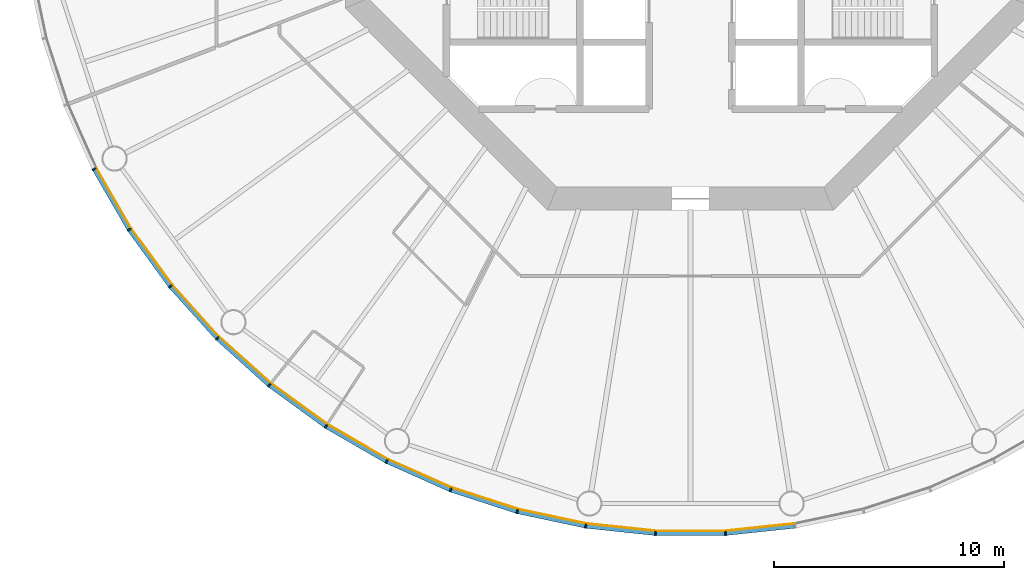
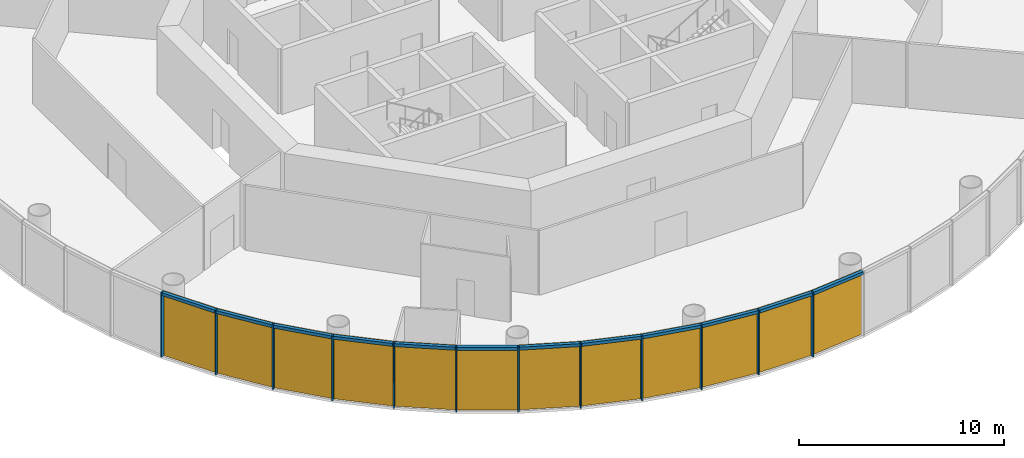
# One storey, part 6 of 12: 24 members, 4 curtain walls.
"""IFC4 building model written with IfcOpenShell, lengths in metres."""

from ifc_helpers import new_model, si_unit, direction, frame, origin, origin_2d, place, context, subcontext, project, spatial, polyline, rectangle, outline, extrude, material, layer, layer_set, material_profile, profile_set, type_object, element, aggregate, save


model = new_model("IFC4")

# Units and contexts
model_context = context("Model", 3, precision=1e-05, world=origin(), true_north=direction((0.0, 1.0)))
body_context = subcontext(model_context, "Body", "Model", "MODEL_VIEW")
ifc_project = project(units=[si_unit("LENGTHUNIT", "METRE"), si_unit("AREAUNIT", "SQUARE_METRE"), si_unit("VOLUMEUNIT", "CUBIC_METRE"), si_unit("PLANEANGLEUNIT", "RADIAN"), si_unit("MASSUNIT", "GRAM", prefix="KILO")], contexts=[model_context])

# Member
ifc_material_1 = material(Name="Anodised aluminium", Category="aluminium")
ifc_material_profile_1 = material_profile(ifc_material_1, rectangle(XDim=0.06494140625, YDim=0.18505859375, at=origin_2d()), Name="Mullion 65 x 185 mm anodised aluminium")
ifc_profile_set_1 = profile_set([ifc_material_profile_1], Name="Anodised aluminium")
member_type_1 = type_object("IfcMemberType", Name="Mullion 65 x 185 mm anodised aluminium", PredefinedType="MULLION", material=ifc_profile_set_1)
site_placement = place(None, origin())
building_placement = place(site_placement, origin())
storey_placement = place(building_placement, frame((0.0, 0.0, 152.0)))
member_1_placement = place(storey_placement, frame((64.078369140625, 66.792236328125, 0.0), z_axis=(0.0, 0.0, 1.0), x_axis=(0.45399049974, -0.891006524188, 0.0)))
member_1 = element("IfcMember", 1, at=member_1_placement, type_object=member_type_1, Name="MULLION L34-33", PredefinedType="MULLION", context=body_context, shape_type="SweptSolid", body=[
    extrude(rectangle(XDim=0.06494140625, YDim=0.18505859375, at=origin_2d()), origin(), (0.0, 0.0, 1.0), 3.85009765625),
])

member_2_placement = place(storey_placement, frame((65.60107421875, 64.155029296875, 0.0), z_axis=(0.0, 0.0, 1.0), x_axis=(0.544639035015, -0.838670567945, 0.0)))
member_2 = element("IfcMember", 2, at=member_2_placement, type_object=member_type_1, Name="MULLION L34-34", PredefinedType="MULLION", context=body_context, shape_type="SweptSolid", body=[
    extrude(rectangle(XDim=0.06494140625, YDim=0.18505859375, at=origin_2d()), origin(), (0.0, 0.0, 1.0), 3.85009765625),
])

member_3_placement = place(storey_placement, frame((67.390869140625, 61.69140625, 0.0), z_axis=(0.0, 0.0, 1.0), x_axis=(0.62932039105, -0.777145961457, 0.0)))
member_3 = element("IfcMember", 3, at=member_3_placement, type_object=member_type_1, Name="MULLION L34-35", PredefinedType="MULLION", context=body_context, shape_type="SweptSolid", body=[
    extrude(rectangle(XDim=0.06494140625, YDim=0.18505859375, at=origin_2d()), origin(), (0.0, 0.0, 1.0), 3.85009765625),
])

member_4_placement = place(storey_placement, frame((69.428466796875, 59.428466796875, 0.0), z_axis=(0.0, 0.0, 1.0), x_axis=(0.707106781187, -0.707106781187, 0.0)))
member_4 = element("IfcMember", 4, at=member_4_placement, type_object=member_type_1, Name="MULLION L34-36", PredefinedType="MULLION", context=body_context, shape_type="SweptSolid", body=[
    extrude(rectangle(XDim=0.06494140625, YDim=0.18505859375, at=origin_2d()), origin(), (0.0, 0.0, 1.0), 3.85009765625),
])

member_5_placement = place(storey_placement, frame((71.69140625, 57.390869140625, 0.0), z_axis=(0.0, 0.0, 1.0), x_axis=(0.777145961457, -0.62932039105, 0.0)))
member_5 = element("IfcMember", 5, at=member_5_placement, type_object=member_type_1, Name="MULLION L34-37", PredefinedType="MULLION", context=body_context, shape_type="SweptSolid", body=[
    extrude(rectangle(XDim=0.06494140625, YDim=0.18505859375, at=origin_2d()), origin(), (0.0, 0.0, 1.0), 3.85009765625),
])

member_6_placement = place(storey_placement, frame((74.155029296875, 55.60107421875, 0.0), z_axis=(0.0, 0.0, 1.0), x_axis=(0.838670567945, -0.544639035015, 0.0)))
member_6 = element("IfcMember", 6, at=member_6_placement, type_object=member_type_1, Name="MULLION L34-38", PredefinedType="MULLION", context=body_context, shape_type="SweptSolid", body=[
    extrude(rectangle(XDim=0.06494140625, YDim=0.18505859375, at=origin_2d()), origin(), (0.0, 0.0, 1.0), 3.85009765625),
])

member_7_placement = place(storey_placement, frame((76.792236328125, 54.078369140625, 0.0), z_axis=(0.0, 0.0, 1.0), x_axis=(0.891006524188, -0.45399049974, 0.0)))
member_7 = element("IfcMember", 7, at=member_7_placement, type_object=member_type_1, Name="MULLION L34-39", PredefinedType="MULLION", context=body_context, shape_type="SweptSolid", body=[
    extrude(rectangle(XDim=0.06494140625, YDim=0.18505859375, at=origin_2d()), origin(), (0.0, 0.0, 1.0), 3.85009765625),
])

member_8_placement = place(storey_placement, frame((79.57421875, 52.83984375, 0.0), z_axis=(0.0, 0.0, 1.0), x_axis=(0.933580426497, -0.358367949545, 0.0)))
member_8 = element("IfcMember", 8, at=member_8_placement, type_object=member_type_1, Name="MULLION L34-40", PredefinedType="MULLION", context=body_context, shape_type="SweptSolid", body=[
    extrude(rectangle(XDim=0.06494140625, YDim=0.18505859375, at=origin_2d()), origin(), (0.0, 0.0, 1.0), 3.85009765625),
])

member_9_placement = place(storey_placement, frame((82.47021484375, 51.898681640625, 0.0), z_axis=(0.0, 0.0, 1.0), x_axis=(0.965925826289, -0.258819045103, 0.0)))
member_9 = element("IfcMember", 9, at=member_9_placement, type_object=member_type_1, Name="MULLION L34-41", PredefinedType="MULLION", context=body_context, shape_type="SweptSolid", body=[
    extrude(rectangle(XDim=0.06494140625, YDim=0.18505859375, at=origin_2d()), origin(), (0.0, 0.0, 1.0), 3.85009765625),
])

member_10_placement = place(storey_placement, frame((85.448974609375, 51.265625, 0.0), z_axis=(0.0, 0.0, 1.0), x_axis=(0.987688340595, -0.15643446504, 0.0)))
member_10 = element("IfcMember", 10, at=member_10_placement, type_object=member_type_1, Name="MULLION L34-42", PredefinedType="MULLION", context=body_context, shape_type="SweptSolid", body=[
    extrude(rectangle(XDim=0.06494140625, YDim=0.18505859375, at=origin_2d()), origin(), (0.0, 0.0, 1.0), 3.85009765625),
])

member_11_placement = place(storey_placement, frame((88.477294921875, 50.947265625, 0.0), z_axis=(0.0, 0.0, 1.0), x_axis=(0.998629534755, -0.052335956243, 0.0)))
member_11 = element("IfcMember", 11, at=member_11_placement, type_object=member_type_1, Name="MULLION L34-43", PredefinedType="MULLION", context=body_context, shape_type="SweptSolid", body=[
    extrude(rectangle(XDim=0.06494140625, YDim=0.18505859375, at=origin_2d()), origin(), (0.0, 0.0, 1.0), 3.85009765625),
])

member_12_placement = place(storey_placement, frame((91.522705078125, 50.947265625, 0.0), z_axis=(0.0, 0.0, 1.0), x_axis=(0.998629534755, 0.052335956243, 0.0)))
member_12 = element("IfcMember", 12, at=member_12_placement, type_object=member_type_1, Name="MULLION L34-44", PredefinedType="MULLION", context=body_context, shape_type="SweptSolid", body=[
    extrude(rectangle(XDim=0.06494140625, YDim=0.18505859375, at=origin_2d()), origin(), (0.0, 0.0, 1.0), 3.85009765625),
])

ifc_material_2 = material(Name="Anodised aluminium", Category="aluminium")
ifc_material_profile_2 = material_profile(ifc_material_2, rectangle(XDim=0.18505859375, YDim=0.175048828125, at=origin_2d()), Name="Transom 175 x 185 mm anodised aluminium")
ifc_profile_set_2 = profile_set([ifc_material_profile_2], Name="Anodised aluminium")
member_type_2 = type_object("IfcMemberType", Name="Transom 175 x 185 mm anodised aluminium", PredefinedType="USERDEFINED", material=ifc_profile_set_2)
member_13_placement = place(storey_placement, frame((64.096923828125, 66.759765625, 3.762451171875), z_axis=(0.500028367561, -0.866009025146, 0.0), x_axis=(0.866009025146, 0.500028367561, 0.0)))
member_13 = element("IfcMember", 13, at=member_13_placement, type_object=member_type_2, Name="TRANSOM L34-33", ObjectType="TRANSOM", PredefinedType="USERDEFINED", context=body_context, shape_type="SweptSolid", body=[
    extrude(rectangle(XDim=0.18505859375, YDim=0.175048828125, at=origin_2d()), origin(), (0.0, 0.0, 1.0), 2.970458984375),
])

member_14_placement = place(storey_placement, frame((65.622802734375, 64.124755859375, 3.762451171875), z_axis=(0.587819781808, -0.808991906087, 0.0), x_axis=(0.808991906087, 0.587819781808, 0.0)))
member_14 = element("IfcMember", 14, at=member_14_placement, type_object=member_type_2, Name="TRANSOM L34-34", ObjectType="TRANSOM", PredefinedType="USERDEFINED", context=body_context, shape_type="SweptSolid", body=[
    extrude(rectangle(XDim=0.18505859375, YDim=0.175048828125, at=origin_2d()), origin(), (0.0, 0.0, 1.0), 2.970458984375),
])

member_15_placement = place(storey_placement, frame((67.415771484375, 61.66357421875, 3.762451171875), z_axis=(0.669110027395, -0.743163354343, 0.0), x_axis=(0.743163354343, 0.669110027395, 0.0)))
member_15 = element("IfcMember", 15, at=member_15_placement, type_object=member_type_2, Name="TRANSOM L34-35", ObjectType="TRANSOM", PredefinedType="USERDEFINED", context=body_context, shape_type="SweptSolid", body=[
    extrude(rectangle(XDim=0.18505859375, YDim=0.175048828125, at=origin_2d()), origin(), (0.0, 0.0, 1.0), 2.970458984375),
])

member_16_placement = place(storey_placement, frame((69.4560546875, 59.4033203125, 3.762451171875), z_axis=(0.743163354343, -0.669110027395, 0.0), x_axis=(0.669110027395, 0.743163354343, 0.0)))
member_16 = element("IfcMember", 16, at=member_16_placement, type_object=member_type_2, Name="TRANSOM L34-36", ObjectType="TRANSOM", PredefinedType="USERDEFINED", context=body_context, shape_type="SweptSolid", body=[
    extrude(rectangle(XDim=0.18505859375, YDim=0.175048828125, at=origin_2d()), origin(), (0.0, 0.0, 1.0), 2.970458984375),
])

member_17_placement = place(storey_placement, frame((71.7216796875, 57.368896484375, 3.762451171875), z_axis=(0.808991906087, -0.587819781808, 0.0), x_axis=(0.587819781808, 0.808991906087, 0.0)))
member_17 = element("IfcMember", 17, at=member_17_placement, type_object=member_type_2, Name="TRANSOM L34-37", ObjectType="TRANSOM", PredefinedType="USERDEFINED", context=body_context, shape_type="SweptSolid", body=[
    extrude(rectangle(XDim=0.18505859375, YDim=0.175048828125, at=origin_2d()), origin(), (0.0, 0.0, 1.0), 2.970458984375),
])

member_18_placement = place(storey_placement, frame((74.187255859375, 55.582275390625, 3.762451171875), z_axis=(0.866009025146, -0.500028367561, 0.0), x_axis=(0.500028367561, 0.866009025146, 0.0)))
member_18 = element("IfcMember", 18, at=member_18_placement, type_object=member_type_2, Name="TRANSOM L34-38", ObjectType="TRANSOM", PredefinedType="USERDEFINED", context=body_context, shape_type="SweptSolid", body=[
    extrude(rectangle(XDim=0.18505859375, YDim=0.175048828125, at=origin_2d()), origin(), (0.0, 0.0, 1.0), 2.970458984375),
])

member_19_placement = place(storey_placement, frame((76.826416015625, 54.06298828125, 3.762451171875), z_axis=(0.913567348806, -0.406687471156, 0.0), x_axis=(0.406687471156, 0.913567348806, 0.0)))
member_19 = element("IfcMember", 19, at=member_19_placement, type_object=member_type_2, Name="TRANSOM L34-39", ObjectType="TRANSOM", PredefinedType="USERDEFINED", context=body_context, shape_type="SweptSolid", body=[
    extrude(rectangle(XDim=0.18505859375, YDim=0.175048828125, at=origin_2d()), origin(), (0.0, 0.0, 1.0), 2.970458984375),
])

member_20_placement = place(storey_placement, frame((79.609619140625, 52.828125, 3.762451171875), z_axis=(0.951055809184, -0.30901917063, 0.0), x_axis=(0.30901917063, 0.951055809184, 0.0)))
member_20 = element("IfcMember", 20, at=member_20_placement, type_object=member_type_2, Name="TRANSOM L34-40", ObjectType="TRANSOM", PredefinedType="USERDEFINED", context=body_context, shape_type="SweptSolid", body=[
    extrude(rectangle(XDim=0.18505859375, YDim=0.175048828125, at=origin_2d()), origin(), (0.0, 0.0, 1.0), 2.970703125),
])

member_21_placement = place(storey_placement, frame((82.5068359375, 51.890869140625, 3.762451171875), z_axis=(0.97815822425, -0.207861704825, 0.0), x_axis=(0.207861704825, 0.97815822425, 0.0)))
member_21 = element("IfcMember", 21, at=member_21_placement, type_object=member_type_2, Name="TRANSOM L34-41", ObjectType="TRANSOM", PredefinedType="USERDEFINED", context=body_context, shape_type="SweptSolid", body=[
    extrude(rectangle(XDim=0.18505859375, YDim=0.175048828125, at=origin_2d()), origin(), (0.0, 0.0, 1.0), 2.970458984375),
])

member_22_placement = place(storey_placement, frame((85.486083984375, 51.26171875, 3.762451171875), z_axis=(0.994519855197, -0.104547872381, 0.0), x_axis=(0.104547872381, 0.994519855197, 0.0)))
member_22 = element("IfcMember", 22, at=member_22_placement, type_object=member_type_2, Name="TRANSOM L34-42", ObjectType="TRANSOM", PredefinedType="USERDEFINED", context=body_context, shape_type="SweptSolid", body=[
    extrude(rectangle(XDim=0.18505859375, YDim=0.175048828125, at=origin_2d()), origin(), (0.0, 0.0, 1.0), 2.970458984375),
])

member_23_placement = place(storey_placement, frame((88.5146484375, 50.947265625, 3.762451171875), z_axis=(1.0, 0.0, 0.0), x_axis=(0.0, 1.0, 0.0)))
member_23 = element("IfcMember", 23, at=member_23_placement, type_object=member_type_2, Name="TRANSOM L34-43", ObjectType="TRANSOM", PredefinedType="USERDEFINED", context=body_context, shape_type="SweptSolid", body=[
    extrude(rectangle(XDim=0.18505859375, YDim=0.175048828125, at=origin_2d()), origin(), (0.0, 0.0, 1.0), 2.970703125),
])

member_24_placement = place(storey_placement, frame((91.559814453125, 50.951171875, 3.762451171875), z_axis=(0.994519855197, 0.104547872381, 0.0), x_axis=(-0.104547872381, 0.994519855197, 0.0)))
member_24 = element("IfcMember", 24, at=member_24_placement, type_object=member_type_2, Name="TRANSOM L34-44", ObjectType="TRANSOM", PredefinedType="USERDEFINED", context=body_context, shape_type="SweptSolid", body=[
    extrude(rectangle(XDim=0.18505859375, YDim=0.175048828125, at=origin_2d()), origin(), (0.0, 0.0, 1.0), 2.970458984375),
])

# Site, building, storey
site = spatial("IfcSite", under=ifc_project, at=site_placement, CompositionType="ELEMENT")
building = spatial("IfcBuilding", under=site, at=building_placement, Name="Entoto Ring Tower", CompositionType="ELEMENT")
storey = spatial("IfcBuildingStorey", under=building, at=storey_placement, Name="L34", CompositionType="ELEMENT", Elevation=152.0)

# Curtain wall
ifc_material_3 = material(Name="Clear low-iron glass", Category="glass")
ifc_layer = layer(ifc_material_3, 0.033935546875)
ifc_layer_set = layer_set([ifc_layer], Name="Clear low-iron glass")
curtain_wall_type = type_object("IfcCurtainWallType", Name="Curtain wall system CW3 glazing 34 mm", PredefinedType="NOTDEFINED", material=ifc_layer_set)
curtain_wall_1_placement = place(storey_placement, origin())
curtain_wall_1 = element("IfcCurtainWall", 25, at=curtain_wall_1_placement, inside=storey, type_object=curtain_wall_type, Name="CW3 L34-12", PredefinedType="NOTDEFINED", context=body_context, shape_type="SweptSolid", body=[
    extrude(outline(polyline([(64.160888671875, 66.834228515625), (65.678466796875, 64.20556640625), (67.462646484375, 61.749755859375), (69.493896484375, 59.493896484375), (69.51806640625, 59.51806640625), (67.4892578125, 61.771240234375), (65.70703125, 64.22412109375), (64.191162109375, 66.849853515625), (64.160888671875, 66.834228515625)])), origin(), (0.0, 0.0, 1.0), 3.85009765625),
])

aggregate(curtain_wall_1, [member_1, member_2, member_3, member_13, member_14, member_15])

curtain_wall_2_placement = place(storey_placement, origin())
curtain_wall_2 = element("IfcCurtainWall", 26, at=curtain_wall_2_placement, inside=storey, type_object=curtain_wall_type, Name="CW3 L34-13", PredefinedType="NOTDEFINED", context=body_context, shape_type="SweptSolid", body=[
    extrude(outline(polyline([(69.493896484375, 59.493896484375), (71.749755859375, 57.462646484375), (74.20556640625, 55.678466796875), (76.834228515625, 54.160888671875), (76.849853515625, 54.191162109375), (74.22412109375, 55.70703125), (71.771240234375, 57.4892578125), (69.51806640625, 59.51806640625), (69.493896484375, 59.493896484375)])), origin(), (0.0, 0.0, 1.0), 3.85009765625),
])

aggregate(curtain_wall_2, [member_4, member_5, member_6, member_16, member_17, member_18])

curtain_wall_3_placement = place(storey_placement, origin())
curtain_wall_3 = element("IfcCurtainWall", 27, at=curtain_wall_3_placement, inside=storey, type_object=curtain_wall_type, Name="CW3 L34-14", PredefinedType="NOTDEFINED", context=body_context, shape_type="SweptSolid", body=[
    extrude(outline(polyline([(76.834228515625, 54.160888671875), (79.607421875, 52.92626953125), (82.494140625, 51.988037109375), (85.46337890625, 51.35693359375), (85.46875, 51.390625), (82.503173828125, 52.02099609375), (79.61962890625, 52.9580078125), (76.849853515625, 54.191162109375), (76.834228515625, 54.160888671875)])), origin(), (0.0, 0.0, 1.0), 3.85009765625),
])

aggregate(curtain_wall_3, [member_7, member_8, member_9, member_19, member_20, member_21])

curtain_wall_4_placement = place(storey_placement, origin())
curtain_wall_4 = element("IfcCurtainWall", 28, at=curtain_wall_4_placement, inside=storey, type_object=curtain_wall_type, Name="CW3 L34-15", PredefinedType="NOTDEFINED", context=body_context, shape_type="SweptSolid", body=[
    extrude(outline(polyline([(85.46337890625, 51.35693359375), (88.482177734375, 51.039794921875), (91.517822265625, 51.039794921875), (94.53662109375, 51.35693359375), (94.53125, 51.390625), (91.515869140625, 51.07373046875), (88.484130859375, 51.07373046875), (85.46875, 51.390625), (85.46337890625, 51.35693359375)])), origin(), (0.0, 0.0, 1.0), 3.85009765625),
])

aggregate(curtain_wall_4, [member_10, member_11, member_12, member_22, member_23, member_24])

save(model, "model.ifc")
